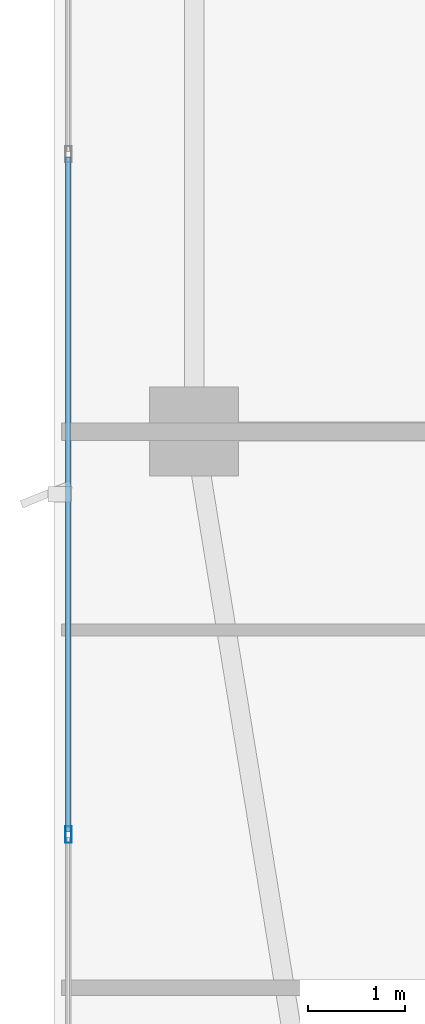
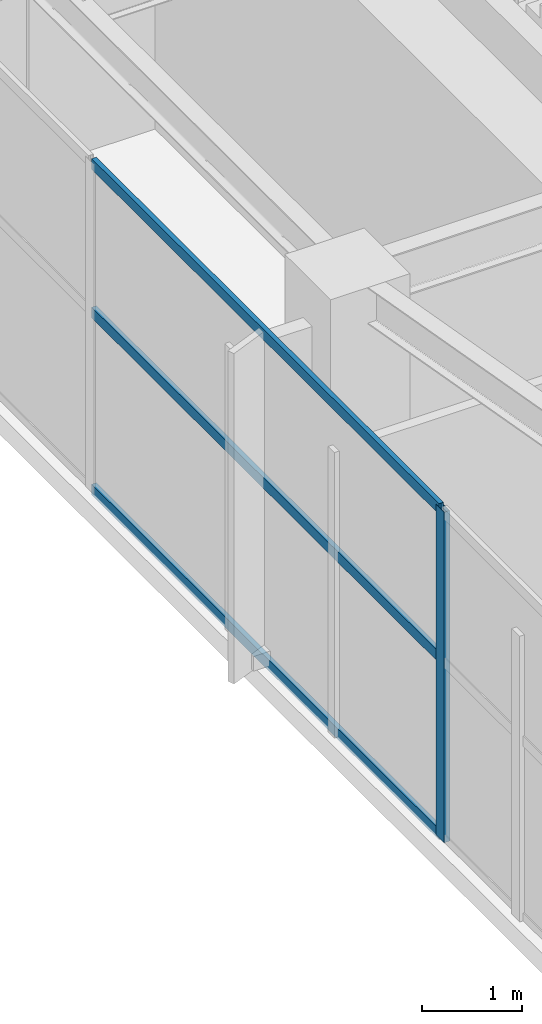
# One storey, part 5 of 29: 4 members, 1 element without a shape of its own.
"""IFC4 building model written with IfcOpenShell, lengths in metres."""

from ifc_helpers import new_model, si_unit, direction, frame, origin, origin_2d, place, context, subcontext, project, spatial, hollow_rectangle, extrude, material, layer, layer_set, material_profile, profile_set, type_object, element, aggregate, save


model = new_model("IFC4")

# Units and contexts
model_context = context("Model", 3, precision=1e-05, world=origin(), true_north=direction((0.0, 1.0)))
body_context = subcontext(model_context, "Body", "Model", "MODEL_VIEW")
ifc_project = project(units=[si_unit("LENGTHUNIT", "METRE"), si_unit("AREAUNIT", "SQUARE_METRE"), si_unit("VOLUMEUNIT", "CUBIC_METRE"), si_unit("PLANEANGLEUNIT", "RADIAN"), si_unit("MASSUNIT", "GRAM", prefix="KILO")], contexts=[model_context])

# Site, building, storey
site_placement = place(None, origin())
site = spatial("IfcSite", under=ifc_project, at=site_placement, CompositionType="ELEMENT")
building_placement = place(site_placement, origin())
building = spatial("IfcBuilding", under=site, at=building_placement, Name="Calvorn Quay Hotel", CompositionType="ELEMENT")
storey_placement = place(building_placement, frame((0.0, 0.0, 259.0)))
storey = spatial("IfcBuildingStorey", under=building, at=storey_placement, Name="L64", CompositionType="ELEMENT", Elevation=259.0)

# Curtain wall, members
ifc_material_1 = material(Name="Champagne Bronze Anodised Aluminium and Low-E Glass", Category="aluminium")
ifc_layer = layer(ifc_material_1, 0.219970703125)
ifc_layer_set = layer_set([ifc_layer], Name="CW-SYS-Z4")
curtain_wall_type = type_object("IfcCurtainWallType", Name="CW-SYS-Z4", PredefinedType="NOTDEFINED", material=ifc_layer_set)
curtain_wall_placement = place(storey_placement, origin())
curtain_wall = element("IfcCurtainWall", 1, at=curtain_wall_placement, inside=storey, type_object=curtain_wall_type, Name="Tower West Curtain Wall (L64)", PredefinedType="NOTDEFINED")
ifc_material_2 = material(Name="Champagne Bronze Anodised Aluminium 6063-T6", Category="aluminium")
ifc_material_profile_1 = material_profile(ifc_material_2, hollow_rectangle(XDim=0.06494140625, YDim=0.169921875, WallThickness=0.00341796875, at=origin_2d()), Name="ALU-M170x65x3.5")
ifc_profile_set_1 = profile_set([ifc_material_profile_1], Name="Champagne Bronze Anodised Aluminium 6063-T6")
member_type_1 = type_object("IfcMemberType", Name="CW-SYS-Z4-MUL", PredefinedType="MULLION", material=ifc_profile_set_1)
member_1_placement = place(storey_placement, frame((0.14990234375, 12.63330078125, 0.0), z_axis=(0.0, 0.0, 1.0), x_axis=(-1.0, 0.0, 0.0)))
member_1 = element("IfcMember", 2, at=member_1_placement, type_object=member_type_1, Name="CW-L64-W mullion 2", PredefinedType="MULLION", context=body_context, shape_type="SweptSolid", body=[
    extrude(hollow_rectangle(XDim=0.06494140625, YDim=0.169921875, WallThickness=0.00341796875, at=origin_2d()), origin(), (0.0, 0.0, 1.0), 4.050048828125),
])
ifc_material_3 = material(Name="Champagne Bronze Anodised Aluminium 6063-T6", Category="aluminium")
ifc_material_profile_2 = material_profile(ifc_material_3, hollow_rectangle(XDim=0.054931640625, YDim=0.1298828125, WallThickness=0.003173828125, at=origin_2d()), Name="ALU-T130x55x3.2")
ifc_profile_set_2 = profile_set([ifc_material_profile_2], Name="Champagne Bronze Anodised Aluminium 6063-T6")
member_type_2 = type_object("IfcMemberType", Name="CW-SYS-Z4-TRN", PredefinedType="USERDEFINED", material=ifc_profile_set_2)
member_2_placement = place(storey_placement, frame((0.14990234375, 12.663330078125, 0.030029296875), z_axis=(0.0, 1.0, 0.0), x_axis=(-1.0, 0.0, 0.0)))
member_2 = element("IfcMember", 3, at=member_2_placement, type_object=member_type_2, Name="CW-L64-W transom 2.1", ObjectType="TRANSOM", PredefinedType="USERDEFINED", context=body_context, shape_type="SweptSolid", body=[
    extrude(hollow_rectangle(XDim=0.054931640625, YDim=0.1298828125, WallThickness=0.003173828125, at=origin_2d()), origin(), (0.0, 0.0, 1.0), 6.973388671875),
])
member_3_placement = place(storey_placement, frame((0.14990234375, 12.663330078125, 2.199951171875), z_axis=(0.0, 1.0, 0.0), x_axis=(-1.0, 0.0, 0.0)))
member_3 = element("IfcMember", 4, at=member_3_placement, type_object=member_type_2, Name="CW-L64-W transom 2.2", ObjectType="TRANSOM", PredefinedType="USERDEFINED", context=body_context, shape_type="SweptSolid", body=[
    extrude(hollow_rectangle(XDim=0.054931640625, YDim=0.1298828125, WallThickness=0.003173828125, at=origin_2d()), origin(), (0.0, 0.0, 1.0), 6.973388671875),
])
member_4_placement = place(storey_placement, frame((0.14990234375, 12.663330078125, 4.02001953125), z_axis=(0.0, 1.0, 0.0), x_axis=(-1.0, 0.0, 0.0)))
member_4 = element("IfcMember", 5, at=member_4_placement, type_object=member_type_2, Name="CW-L64-W transom 2.3", ObjectType="TRANSOM", PredefinedType="USERDEFINED", context=body_context, shape_type="SweptSolid", body=[
    extrude(hollow_rectangle(XDim=0.054931640625, YDim=0.1298828125, WallThickness=0.003173828125, at=origin_2d()), origin(), (0.0, 0.0, 1.0), 6.973388671875),
])
aggregate(curtain_wall, [member_1, member_2, member_3, member_4])

save(model, "model.ifc")
